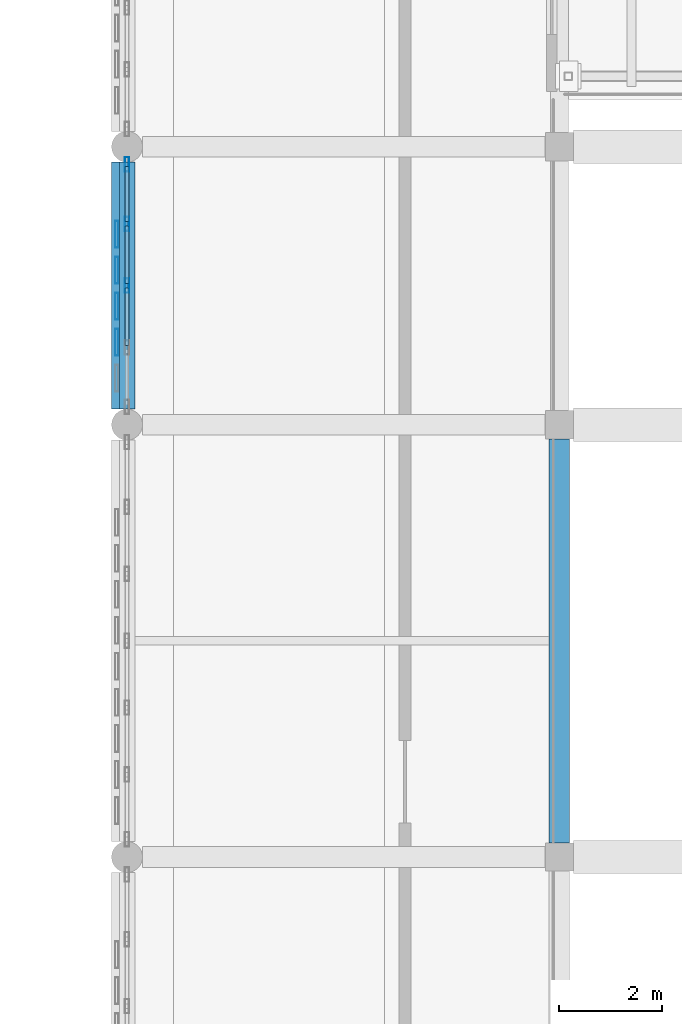
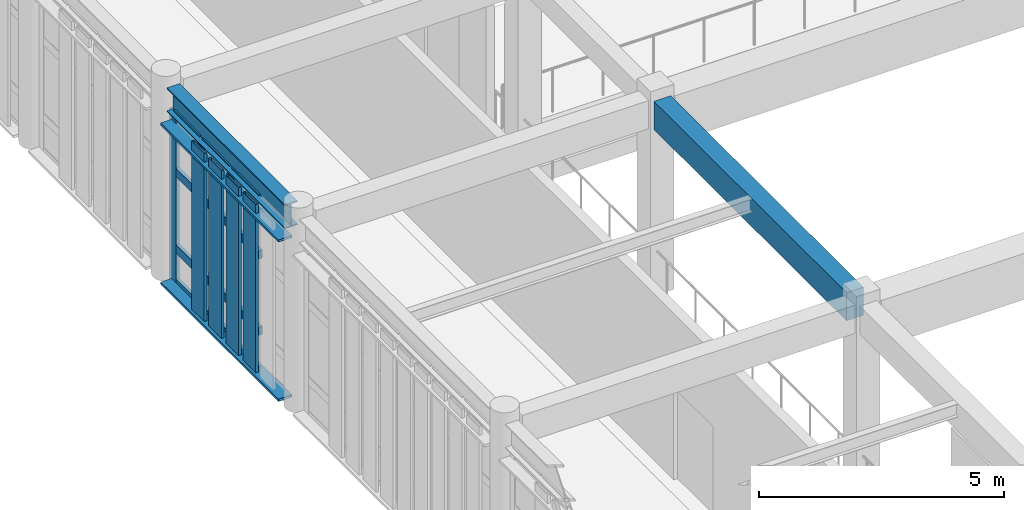
# One storey, part 23 of 77: 20 members, 2 beams, 1 element without a shape of its own.
"""IFC4 building model written with IfcOpenShell, lengths in metres."""

from ifc_helpers import new_model, si_unit, direction, frame, origin, origin_2d, place, context, subcontext, project, spatial, rectangle, hollow_rectangle, i_section, extrude, material, layer, layer_set, material_profile, profile_set, type_object, element, aggregate, save


model = new_model("IFC4")

# Units and contexts
model_context = context("Model", 3, precision=1e-05, world=origin(), true_north=direction((0.0, 1.0)))
body_context = subcontext(model_context, "Body", "Model", "MODEL_VIEW")
ifc_project = project(units=[si_unit("LENGTHUNIT", "METRE"), si_unit("AREAUNIT", "SQUARE_METRE"), si_unit("VOLUMEUNIT", "CUBIC_METRE"), si_unit("PLANEANGLEUNIT", "RADIAN"), si_unit("MASSUNIT", "GRAM", prefix="KILO")], contexts=[model_context])

# Site, building, storey
site_placement = place(None, origin())
site = spatial("IfcSite", under=ifc_project, at=site_placement, CompositionType="ELEMENT")
building_placement = place(site_placement, origin())
building = spatial("IfcBuilding", under=site, at=building_placement, Name="Krzemoval Escarpment Law Courts", CompositionType="ELEMENT")
storey_placement = place(building_placement, frame((0.0, 0.0, 15.300048828125)))
storey = spatial("IfcBuildingStorey", under=building, at=storey_placement, Name="L03", CompositionType="ELEMENT", Elevation=15.300048828125)

# Beam
ifc_material_1 = material(Name="Concrete C40/50", Category="concrete")
ifc_material_profile_1 = material_profile(ifc_material_1, rectangle(XDim=0.39990234375, YDim=0.699951171875, at=origin_2d()), Name="RCB 400x700")
ifc_profile_set_1 = profile_set([ifc_material_profile_1], Name="Concrete C40/50")
beam_type_1 = type_object("IfcBeamType", Name="BM-RC-400x700", PredefinedType="BEAM", material=ifc_profile_set_1)
beam_1_placement = place(storey_placement, frame((16.800048828125, 66.27490234375, 4.489990234375), z_axis=(0.0, 1.0, 0.0), x_axis=(-1.0, 0.0, 0.0)))
element("IfcBeam", 1, at=beam_1_placement, inside=storey, type_object=beam_type_1, Name="Beam FG-L03-2235", PredefinedType="BEAM", context=body_context, shape_type="SweptSolid", body=[
    extrude(rectangle(XDim=0.39990234375, YDim=0.699951171875, at=origin_2d()), origin(), (0.0, 0.0, 1.0), 7.85009765625),
])

# Curtain wall, members
ifc_material_2 = material(Name="Aluminium 6063-T6", Category="aluminium")
ifc_layer = layer(ifc_material_2, 0.280029296875)
ifc_layer_set = layer_set([ifc_layer], Name="Aluminium 6063-T6")
curtain_wall_type = type_object("IfcCurtainWallType", Name="CW-HALL-5100", PredefinedType="USERDEFINED", material=ifc_layer_set)
curtain_wall_placement = place(storey_placement, origin())
curtain_wall = element("IfcCurtainWall", 2, at=curtain_wall_placement, inside=storey, type_object=curtain_wall_type, Name="Unitised Curtain Wall FCW-L03-101", ObjectType="UNITISED_CURTAIN_WALL", PredefinedType="USERDEFINED")
ifc_material_3 = material(Name="Aluminium 6063-T6", Category="aluminium")
ifc_material_profile_2 = material_profile(ifc_material_3, hollow_rectangle(XDim=0.0849609375, YDim=0.280029296875, WallThickness=0.005615234375, at=origin_2d()), Name="ALU M85x280")
ifc_profile_set_2 = profile_set([ifc_material_profile_2], Name="Aluminium 6063-T6")
member_type_1 = type_object("IfcMemberType", Name="CWM-85x280", PredefinedType="MULLION", material=ifc_profile_set_2)
member_1_placement = place(storey_placement, frame((8.39990234375, 77.10009765625, 0.0), z_axis=(0.0, 0.0, 1.0), x_axis=(-1.0, 0.0, 0.0)))
member_1 = element("IfcMember", 3, at=member_1_placement, type_object=member_type_1, Name="FCW-L03-101 mullion 3", PredefinedType="MULLION", context=body_context, shape_type="SweptSolid", body=[
    extrude(hollow_rectangle(XDim=0.0849609375, YDim=0.280029296875, WallThickness=0.005615234375, at=origin_2d()), origin(), (0.0, 0.0, 1.0), 4.239990234375),
])
member_2_placement = place(storey_placement, frame((8.39990234375, 78.300048828125, 0.0), z_axis=(0.0, 0.0, 1.0), x_axis=(-1.0, 0.0, 0.0)))
member_2 = element("IfcMember", 4, at=member_2_placement, type_object=member_type_1, Name="FCW-L03-101 mullion 4", PredefinedType="MULLION", context=body_context, shape_type="SweptSolid", body=[
    extrude(hollow_rectangle(XDim=0.0849609375, YDim=0.280029296875, WallThickness=0.005615234375, at=origin_2d()), origin(), (0.0, 0.0, 1.0), 4.239990234375),
])
member_3_placement = place(storey_placement, frame((8.39990234375, 79.45751953125, 0.0), z_axis=(0.0, 0.0, 1.0), x_axis=(-1.0, 0.0, 0.0)))
member_3 = element("IfcMember", 5, at=member_3_placement, type_object=member_type_1, Name="FCW-L03-101 mullion 5", PredefinedType="MULLION", context=body_context, shape_type="SweptSolid", body=[
    extrude(hollow_rectangle(XDim=0.0849609375, YDim=0.280029296875, WallThickness=0.005615234375, at=origin_2d()), origin(), (0.0, 0.0, 1.0), 4.239990234375),
])
ifc_material_4 = material(Name="Aluminium 6063-T6", Category="aluminium")
ifc_material_profile_3 = material_profile(ifc_material_4, hollow_rectangle(XDim=0.0849609375, YDim=0.2099609375, WallThickness=0.005615234375, at=origin_2d()), Name="ALU T85x210")
ifc_profile_set_3 = profile_set([ifc_material_profile_3], Name="Aluminium 6063-T6")
member_type_2 = type_object("IfcMemberType", Name="CWT-85x210", PredefinedType="USERDEFINED", material=ifc_profile_set_3)
member_4_placement = place(storey_placement, frame((8.39990234375, 75.9423828125, 0.89990234375), z_axis=(0.0, 1.0, 0.0), x_axis=(-1.0, 0.0, 0.0)))
member_4 = element("IfcMember", 6, at=member_4_placement, type_object=member_type_2, Name="FCW-L03-101 transom 2.2", ObjectType="TRANSOM", PredefinedType="USERDEFINED", context=body_context, shape_type="SweptSolid", body=[
    extrude(hollow_rectangle(XDim=0.0849609375, YDim=0.2099609375, WallThickness=0.005615234375, at=origin_2d()), origin(), (0.0, 0.0, 1.0), 1.115234375),
])
member_5_placement = place(storey_placement, frame((8.39990234375, 75.9423828125, 2.800048828125), z_axis=(0.0, 1.0, 0.0), x_axis=(-1.0, 0.0, 0.0)))
member_5 = element("IfcMember", 7, at=member_5_placement, type_object=member_type_2, Name="FCW-L03-101 transom 2.3", ObjectType="TRANSOM", PredefinedType="USERDEFINED", context=body_context, shape_type="SweptSolid", body=[
    extrude(hollow_rectangle(XDim=0.0849609375, YDim=0.2099609375, WallThickness=0.005615234375, at=origin_2d()), origin(), (0.0, 0.0, 1.0), 1.115234375),
])
member_6_placement = place(storey_placement, frame((8.39990234375, 75.9423828125, 4.197509765625), z_axis=(0.0, 1.0, 0.0), x_axis=(-1.0, 0.0, 0.0)))
member_6 = element("IfcMember", 8, at=member_6_placement, type_object=member_type_2, Name="FCW-L03-101 transom 2.4", ObjectType="TRANSOM", PredefinedType="USERDEFINED", context=body_context, shape_type="SweptSolid", body=[
    extrude(hollow_rectangle(XDim=0.0849609375, YDim=0.2099609375, WallThickness=0.005615234375, at=origin_2d()), origin(), (0.0, 0.0, 1.0), 1.115234375),
])
member_7_placement = place(storey_placement, frame((8.39990234375, 77.142578125, 0.04248046875), z_axis=(0.0, 1.0, 0.0), x_axis=(-1.0, 0.0, 0.0)))
member_7 = element("IfcMember", 9, at=member_7_placement, type_object=member_type_2, Name="FCW-L03-101 transom 3.1", ObjectType="TRANSOM", PredefinedType="USERDEFINED", context=body_context, shape_type="SweptSolid", body=[
    extrude(hollow_rectangle(XDim=0.0849609375, YDim=0.2099609375, WallThickness=0.005615234375, at=origin_2d()), origin(), (0.0, 0.0, 1.0), 1.114990234375),
])
member_8_placement = place(storey_placement, frame((8.39990234375, 77.142578125, 0.89990234375), z_axis=(0.0, 1.0, 0.0), x_axis=(-1.0, 0.0, 0.0)))
member_8 = element("IfcMember", 10, at=member_8_placement, type_object=member_type_2, Name="FCW-L03-101 transom 3.2", ObjectType="TRANSOM", PredefinedType="USERDEFINED", context=body_context, shape_type="SweptSolid", body=[
    extrude(hollow_rectangle(XDim=0.0849609375, YDim=0.2099609375, WallThickness=0.005615234375, at=origin_2d()), origin(), (0.0, 0.0, 1.0), 1.114990234375),
])
member_9_placement = place(storey_placement, frame((8.39990234375, 77.142578125, 2.800048828125), z_axis=(0.0, 1.0, 0.0), x_axis=(-1.0, 0.0, 0.0)))
member_9 = element("IfcMember", 11, at=member_9_placement, type_object=member_type_2, Name="FCW-L03-101 transom 3.3", ObjectType="TRANSOM", PredefinedType="USERDEFINED", context=body_context, shape_type="SweptSolid", body=[
    extrude(hollow_rectangle(XDim=0.0849609375, YDim=0.2099609375, WallThickness=0.005615234375, at=origin_2d()), origin(), (0.0, 0.0, 1.0), 1.114990234375),
])
member_10_placement = place(storey_placement, frame((8.39990234375, 77.142578125, 4.197509765625), z_axis=(0.0, 1.0, 0.0), x_axis=(-1.0, 0.0, 0.0)))
member_10 = element("IfcMember", 12, at=member_10_placement, type_object=member_type_2, Name="FCW-L03-101 transom 3.4", ObjectType="TRANSOM", PredefinedType="USERDEFINED", context=body_context, shape_type="SweptSolid", body=[
    extrude(hollow_rectangle(XDim=0.0849609375, YDim=0.2099609375, WallThickness=0.005615234375, at=origin_2d()), origin(), (0.0, 0.0, 1.0), 1.114990234375),
])
member_11_placement = place(storey_placement, frame((8.39990234375, 78.342529296875, 0.04248046875), z_axis=(0.0, 1.0, 0.0), x_axis=(-1.0, 0.0, 0.0)))
member_11 = element("IfcMember", 13, at=member_11_placement, type_object=member_type_2, Name="FCW-L03-101 transom 4.1", ObjectType="TRANSOM", PredefinedType="USERDEFINED", context=body_context, shape_type="SweptSolid", body=[
    extrude(hollow_rectangle(XDim=0.0849609375, YDim=0.2099609375, WallThickness=0.005615234375, at=origin_2d()), origin(), (0.0, 0.0, 1.0), 1.072509765625),
])
member_12_placement = place(storey_placement, frame((8.39990234375, 78.342529296875, 0.89990234375), z_axis=(0.0, 1.0, 0.0), x_axis=(-1.0, 0.0, 0.0)))
member_12 = element("IfcMember", 14, at=member_12_placement, type_object=member_type_2, Name="FCW-L03-101 transom 4.2", ObjectType="TRANSOM", PredefinedType="USERDEFINED", context=body_context, shape_type="SweptSolid", body=[
    extrude(hollow_rectangle(XDim=0.0849609375, YDim=0.2099609375, WallThickness=0.005615234375, at=origin_2d()), origin(), (0.0, 0.0, 1.0), 1.072509765625),
])
member_13_placement = place(storey_placement, frame((8.39990234375, 78.342529296875, 2.800048828125), z_axis=(0.0, 1.0, 0.0), x_axis=(-1.0, 0.0, 0.0)))
member_13 = element("IfcMember", 15, at=member_13_placement, type_object=member_type_2, Name="FCW-L03-101 transom 4.3", ObjectType="TRANSOM", PredefinedType="USERDEFINED", context=body_context, shape_type="SweptSolid", body=[
    extrude(hollow_rectangle(XDim=0.0849609375, YDim=0.2099609375, WallThickness=0.005615234375, at=origin_2d()), origin(), (0.0, 0.0, 1.0), 1.072509765625),
])
member_14_placement = place(storey_placement, frame((8.39990234375, 78.342529296875, 4.197509765625), z_axis=(0.0, 1.0, 0.0), x_axis=(-1.0, 0.0, 0.0)))
member_14 = element("IfcMember", 16, at=member_14_placement, type_object=member_type_2, Name="FCW-L03-101 transom 4.4", ObjectType="TRANSOM", PredefinedType="USERDEFINED", context=body_context, shape_type="SweptSolid", body=[
    extrude(hollow_rectangle(XDim=0.0849609375, YDim=0.2099609375, WallThickness=0.005615234375, at=origin_2d()), origin(), (0.0, 0.0, 1.0), 1.072509765625),
])
aggregate(curtain_wall, [member_1, member_2, member_3, member_4, member_5, member_6, member_7, member_8, member_9, member_10, member_11, member_12, member_13, member_14])

# Members
ifc_material_5 = material(Name="Anodised Aluminium Alloy 6063-T6", Category="aluminium")
ifc_material_profile_4 = material_profile(ifc_material_5, hollow_rectangle(XDim=0.06005859375, YDim=0.320068359375, WallThickness=0.00390625, at=origin_2d()), Name="ALU LVR 60x320")
ifc_profile_set_4 = profile_set([ifc_material_profile_4], Name="Anodised Aluminium Alloy 6063-T6")
member_type_3 = type_object("IfcMemberType", Name="LVR-ALU-320", PredefinedType="USERDEFINED", material=ifc_profile_set_4)
for number, where, z_axis, x_axis, name in (
    (17, (8.260009765625, 74.699951171875, 0.030029296875), (0.0, 1.0, 0.0), (0.0, 0.0, 1.0), "Sunshade Support Rail FSR-L03-0657"),
    (18, (8.260009765625, 74.699951171875, 3.989990234375), (0.0, 1.0, 0.0), (0.0, 0.0, 1.0), "Sunshade Support Rail FSR-L03-0658"),
):
    element("IfcMember", number, at=place(storey_placement, frame(where, z_axis=z_axis, x_axis=x_axis)), inside=storey, type_object=member_type_3, Name=name, ObjectType="SUNSHADE_LOUVRE", PredefinedType="USERDEFINED", context=body_context, shape_type="SweptSolid", body=[
        extrude(hollow_rectangle(XDim=0.06005859375, YDim=0.320068359375, WallThickness=0.00390625, at=origin_2d()), origin(), (0.0, 0.0, 1.0), 4.800048828125),
    ])
ifc_material_6 = material(Name="Anodised Aluminium Alloy 6063-T6", Category="aluminium")
ifc_material_profile_5 = material_profile(ifc_material_6, hollow_rectangle(XDim=0.06494140625, YDim=0.52001953125, WallThickness=0.00439453125, at=origin_2d()), Name="ALU LVR 65x520")
ifc_profile_set_5 = profile_set([ifc_material_profile_5], Name="Anodised Aluminium Alloy 6063-T6")
member_type_4 = type_object("IfcMemberType", Name="LVR-ALU-520", PredefinedType="USERDEFINED", material=ifc_profile_set_5)
for number, where, z_axis, x_axis, name in (
    (19, (8.199951171875, 76.0, 0.06005859375), (0.0, 0.0, 1.0), (1.0, 0.0, 0.0), "Sunshade Louvre Fin FLV-L03-0660"),
    (20, (8.199951171875, 76.699951171875, 0.06005859375), (0.0, 0.0, 1.0), (1.0, 0.0, 0.0), "Sunshade Louvre Fin FLV-L03-0661"),
    (21, (8.199951171875, 77.39990234375, 0.06005859375), (0.0, 0.0, 1.0), (1.0, 0.0, 0.0), "Sunshade Louvre Fin FLV-L03-0662"),
    (22, (8.199951171875, 78.10009765625, 0.06005859375), (0.0, 0.0, 1.0), (1.0, 0.0, 0.0), "Sunshade Louvre Fin FLV-L03-0663"),
):
    element("IfcMember", number, at=place(storey_placement, frame(where, z_axis=z_axis, x_axis=x_axis)), inside=storey, type_object=member_type_4, Name=name, ObjectType="SUNSHADE_LOUVRE", PredefinedType="USERDEFINED", context=body_context, shape_type="SweptSolid", body=[
        extrude(hollow_rectangle(XDim=0.06494140625, YDim=0.52001953125, WallThickness=0.00439453125, at=origin_2d()), origin(), (0.0, 0.0, 1.0), 4.179931640625),
    ])

# Beam
ifc_material_7 = material(Name="Steel S355", Category="steel")
ifc_material_profile_6 = material_profile(ifc_material_7, i_section(OverallWidth=0.300048828125, OverallDepth=0.60009765625, WebThickness=0.015380859375, FlangeThickness=0.030029296875, at=origin_2d()), Name="HEB 600")
ifc_profile_set_6 = profile_set([ifc_material_profile_6], Name="Steel S355")
beam_type_2 = type_object("IfcBeamType", Name="SPN-S355-HEB600", PredefinedType="SPANDREL", material=ifc_profile_set_6)
beam_2_placement = place(storey_placement, frame((8.39990234375, 74.699951171875, 4.5400390625), z_axis=(0.0, 1.0, 0.0), x_axis=(-1.0, 0.0, 0.0)))
element("IfcBeam", 23, at=beam_2_placement, inside=storey, type_object=beam_type_2, Name="Beam FG-L03-2227", PredefinedType="SPANDREL", context=body_context, shape_type="SweptSolid", body=[
    extrude(i_section(OverallWidth=0.300048828125, OverallDepth=0.60009765625, WebThickness=0.015380859375, FlangeThickness=0.030029296875, at=origin_2d()), origin(), (0.0, 0.0, 1.0), 4.800048828125),
])

save(model, "model.ifc")
